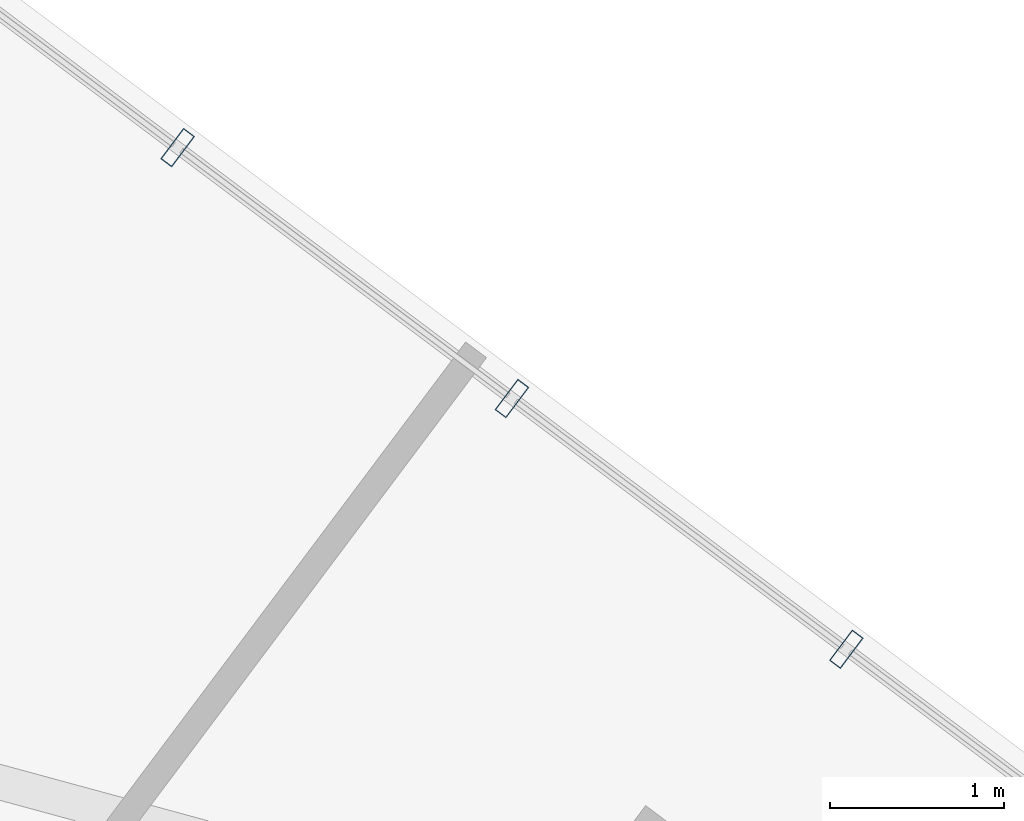
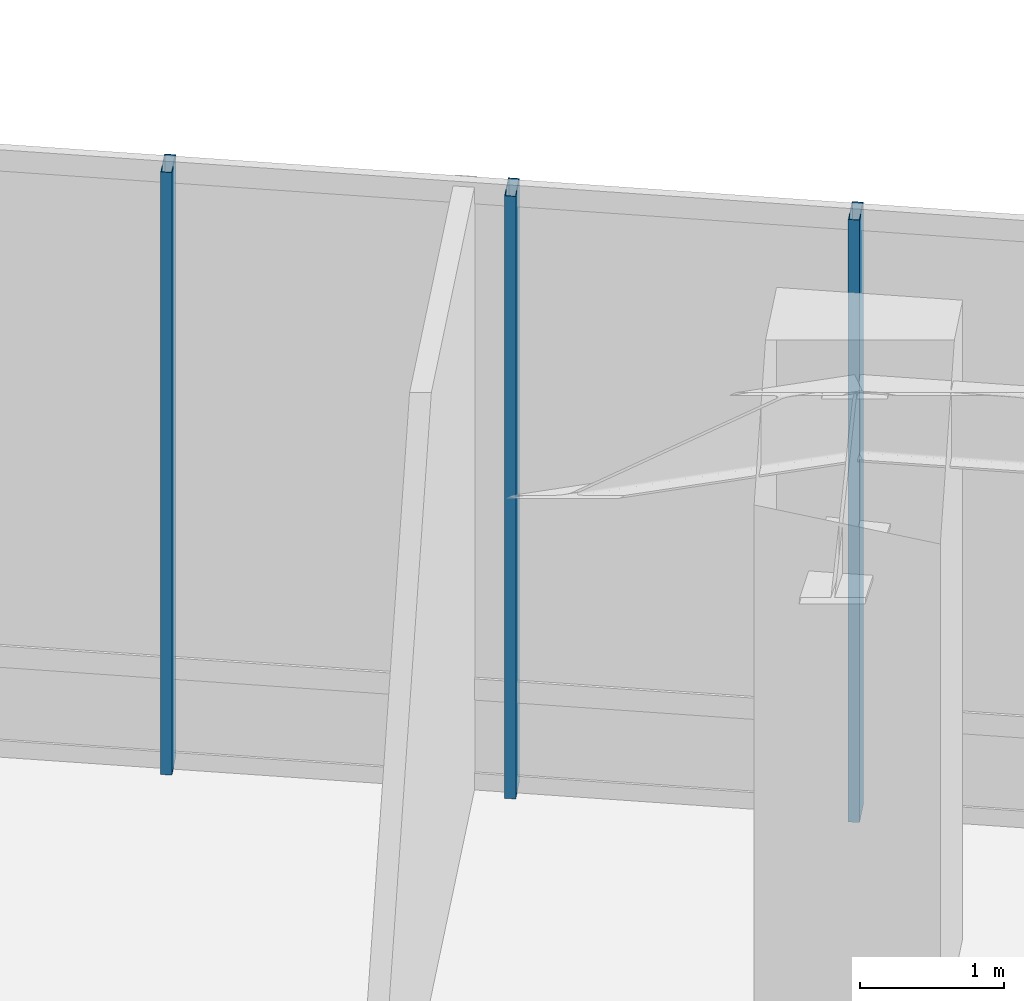
# One storey, part 21 of 35: 3 members, 1 element without a shape of its own.
"""IFC4 building model written with IfcOpenShell, lengths in metres."""

import ifcopenshell
import ifcopenshell.guid

model = None  # the IFC model being written
_history = None  # IfcOwnerHistory: only IFC2X3 demands one
_inside = {}  # id of a spatial element -> (the spatial element, [elements in it])
_under = {}  # id of a project, library or spatial element -> (it, [spatial elements below it])
_declared = {}  # id of a project -> (the project, [libraries it declares])
_typed = {}  # id of a type object -> (the type object, [elements of that type])
_made_of = {}  # id of a material, layer set ... -> (it, [elements and type objects made of it])


def new_model(schema):
    """Start an empty IFC model of exactly this schema.

    Asked for "IFC4X3", IfcOpenShell would pick the latest addendum, in which some entities
    have other attributes; the version numbers below select the first issue.
    IFC2X3 requires an IfcOwnerHistory on every rooted entity: one is made here for all.
    """
    global model, _history
    if schema == "IFC4X3":
        model = ifcopenshell.file(schema_version=(4, 3, 0, 0))
    else:
        model = ifcopenshell.file(schema=schema)
    _inside.clear()
    _under.clear()
    _declared.clear()
    _typed.clear()
    _made_of.clear()
    _history = None
    if model.schema == "IFC2X3":
        org = make("IfcOrganization", Name="unknown")
        user = make(
            "IfcPersonAndOrganization",
            ThePerson=make("IfcPerson", FamilyName="unknown"),
            TheOrganization=org,
        )
        app = make(
            "IfcApplication",
            ApplicationDeveloper=org,
            Version="unknown",
            ApplicationFullName="unknown",
            ApplicationIdentifier="unknown",
        )
        _history = make(
            "IfcOwnerHistory",
            OwningUser=user,
            OwningApplication=app,
            ChangeAction="ADDED",
            CreationDate=0,
        )
    return model


def make(cls, **values):
    """One entity of the class cls with the attributes given. An attribute that is None is left unset."""
    return model.create_entity(
        cls, **{name: value for name, value in values.items() if value is not None}
    )


def rooted(cls, **values):
    """An entity with a GlobalId (a new one), such as an element, a storey or a relation."""
    return make(cls, GlobalId=ifcopenshell.guid.new(), OwnerHistory=_history, **values)


def si_unit(unit_type, name, prefix=None):
    """IfcSIUnit, for example si_unit("LENGTHUNIT", "METRE", prefix="MILLI")."""
    return make("IfcSIUnit", UnitType=unit_type, Prefix=prefix, Name=name)


def assignment(units):
    """IfcUnitAssignment: the units of a project."""
    return None if units is None else make("IfcUnitAssignment", Units=units)


def point(xyz):
    """IfcCartesianPoint."""
    return None if xyz is None else make("IfcCartesianPoint", Coordinates=xyz)


def direction(xyz):
    """IfcDirection."""
    return None if xyz is None else make("IfcDirection", DirectionRatios=xyz)


def frame(location, z_axis=None, x_axis=None):
    """IfcAxis2Placement3D, a coordinate frame: its origin and axes. An axis left out is left unset."""
    return make(
        "IfcAxis2Placement3D",
        Location=point(location),
        Axis=direction(z_axis),
        RefDirection=direction(x_axis),
    )


def frame_2d(location, x_axis=None):
    """IfcAxis2Placement2D, a coordinate frame in the plane: its origin and x axis."""
    return make(
        "IfcAxis2Placement2D", Location=point(location), RefDirection=direction(x_axis)
    )


def origin():
    """The frame at (0, 0, 0) with its axes left unset."""
    return frame((0.0, 0.0, 0.0))


def origin_2d():
    """The frame at (0, 0) in the plane with its x axis left unset."""
    return frame_2d((0.0, 0.0))


def place(relative_to, where):
    """IfcLocalPlacement: puts the frame where relative to a parent placement (None: the world)."""
    return make(
        "IfcLocalPlacement", PlacementRelTo=relative_to, RelativePlacement=where
    )


def context(
    kind, dimensions, precision=None, world=None, true_north=None, identifier=None
):
    """IfcGeometricRepresentationContext, for example the 3D "Model" context."""
    return make(
        "IfcGeometricRepresentationContext",
        ContextIdentifier=identifier,
        ContextType=kind,
        CoordinateSpaceDimension=dimensions,
        Precision=precision,
        WorldCoordinateSystem=world,
        TrueNorth=true_north,
    )


def subcontext(parent, identifier, kind, view, scale=None):
    """IfcGeometricRepresentationSubContext, for example "Body" below "Model"."""
    return make(
        "IfcGeometricRepresentationSubContext",
        ContextIdentifier=identifier,
        ContextType=kind,
        ParentContext=parent,
        TargetScale=scale,
        TargetView=view,
    )


def project(units=None, contexts=None):
    """IfcProject with its units and contexts."""
    return rooted(
        "IfcProject",
        Name="project",
        RepresentationContexts=contexts,
        UnitsInContext=assignment(units),
    )


def spatial(cls, under=None, at=None, **own):
    """A site, building, storey or space (cls), placed at a placement, below another one or the project."""
    s = rooted(cls, ObjectPlacement=at, **own)
    if under is not None:
        _under.setdefault(under.id(), (under, []))[1].append(s)
    return s


def profile(cls, at=None, kind="AREA", **sizes):
    """A parametric profile (cls). Its sizes go by their IFC names, for example OverallWidth=200.0."""
    return make(cls, ProfileType=kind, Position=at, **sizes)


def hollow_rectangle(**sizes):
    """IfcRectangleHollowProfileDef."""
    return profile("IfcRectangleHollowProfileDef", **sizes)


def extrude(swept, where, along, depth):
    """IfcExtrudedAreaSolid: the profile swept, set in the frame where, extruded along a direction by depth."""
    return make(
        "IfcExtrudedAreaSolid",
        SweptArea=swept,
        Position=where,
        ExtrudedDirection=direction(along),
        Depth=depth,
    )


def shape(context_of_items, identifier, shape_type, items):
    """IfcShapeRepresentation: the items that make up one representation, for example the "Body"."""
    return make(
        "IfcShapeRepresentation",
        ContextOfItems=context_of_items,
        RepresentationIdentifier=identifier,
        RepresentationType=shape_type,
        Items=items,
    )


def material(Name=None, Category=None):
    """IfcMaterial."""
    return make("IfcMaterial", Name=Name, Category=Category)


def layer(
    of_material, thickness, ventilated=None, Name=None, Category=None, Priority=None
):
    """IfcMaterialLayer: one layer of a wall or slab, of a material (None: an air gap)."""
    return make(
        "IfcMaterialLayer",
        Material=of_material,
        LayerThickness=thickness,
        IsVentilated=ventilated,
        Name=Name,
        Category=Category,
        Priority=Priority,
    )


def layer_set(layers, Name=None):
    """IfcMaterialLayerSet."""
    return make("IfcMaterialLayerSet", MaterialLayers=layers, LayerSetName=Name)


def material_profile(
    of_material, cross_section, Name=None, Category=None, Priority=None
):
    """IfcMaterialProfile: a cross section and its material."""
    return make(
        "IfcMaterialProfile",
        Name=Name,
        Material=of_material,
        Profile=cross_section,
        Priority=Priority,
        Category=Category,
    )


def profile_set(profiles, Name=None, composite=None):
    """IfcMaterialProfileSet."""
    return make(
        "IfcMaterialProfileSet",
        Name=Name,
        MaterialProfiles=profiles,
        CompositeProfile=composite,
    )


def made_of(thing, what):
    """Note that an element or type object is made of a material, layer set ...; save() writes the relation."""
    if what is not None:
        _made_of.setdefault(what.id(), (what, []))[1].append(thing)
    return thing


def type_object(cls, material=None, **own):
    """A type object (cls), such as IfcWallType, which elements share."""
    return made_of(rooted(cls, **own), material)


def element(
    cls,
    number,
    at=None,
    inside=None,
    cuts=None,
    type_object=None,
    material=None,
    context=None,
    identifier="Body",
    shape_type=None,
    held_by="IfcProductDefinitionShape",
    body=None,
    shapes=None,
    **own,
):
    """One element of the class cls, such as IfcWall. Its Tag is "e" and its number.

    at: its placement. inside: the storey or other place that contains it. cuts: it is an
    opening in that element (IfcRelVoidsElement). A single representation is given by context,
    identifier, shape_type and body (its items); several are given by shapes. held_by: the class
    of the entity that holds the representations. save() writes the other relations.
    """
    e = rooted(cls, Tag="e%d" % number, ObjectPlacement=at, **own)
    if body is not None:
        shapes = [shape(context, identifier, shape_type, body)]
    if shapes is not None:
        e.Representation = make(held_by, Representations=shapes)
    if inside is not None:
        _inside.setdefault(inside.id(), (inside, []))[1].append(e)
    if cuts is not None:
        rooted(
            "IfcRelVoidsElement", RelatingBuildingElement=cuts, RelatedOpeningElement=e
        )
    if type_object is not None:
        _typed.setdefault(type_object.id(), (type_object, []))[1].append(e)
    return made_of(e, material)


def aggregate(whole, parts):
    """IfcRelAggregates: a whole, such as a stair, and the parts it consists of."""
    return rooted("IfcRelAggregates", RelatingObject=whole, RelatedObjects=parts)


def save(model, path):
    """Write the relations noted so far, then the file.

    IfcRelAggregates (storeys below a building ...), IfcRelContainedInSpatialStructure (elements
    in a storey), IfcRelDefinesByType, IfcRelAssociatesMaterial and IfcRelDeclares: one each for
    every whole, place, type object, material and project.
    """
    for whole, parts in _under.values():
        aggregate(whole, parts)
    for where, things in _inside.values():
        rooted(
            "IfcRelContainedInSpatialStructure",
            RelatedElements=things,
            RelatingStructure=where,
        )
    for kind, things in _typed.values():
        rooted("IfcRelDefinesByType", RelatedObjects=things, RelatingType=kind)
    for what, things in _made_of.values():
        rooted("IfcRelAssociatesMaterial", RelatedObjects=things, RelatingMaterial=what)
    for by, libraries in _declared.values():
        rooted("IfcRelDeclares", RelatingContext=by, RelatedDefinitions=libraries)
    model.write(path)


model = new_model("IFC4")

# Units and contexts
model_context = context("Model", 3, precision=1e-05, world=origin(), true_north=direction((0.0, 1.0)))
body_context = subcontext(model_context, "Body", "Model", "MODEL_VIEW")
ifc_project = project(units=[si_unit("LENGTHUNIT", "METRE"), si_unit("AREAUNIT", "SQUARE_METRE"), si_unit("VOLUMEUNIT", "CUBIC_METRE"), si_unit("PLANEANGLEUNIT", "RADIAN"), si_unit("MASSUNIT", "GRAM", prefix="KILO")], contexts=[model_context])

# Site, building, storey
site_placement = place(None, origin())
site = spatial("IfcSite", under=ifc_project, at=site_placement, CompositionType="ELEMENT")
building_placement = place(site_placement, origin())
building = spatial("IfcBuilding", under=site, at=building_placement, Name="Hatsunagi Terrace Concourse", CompositionType="ELEMENT")
storey_placement = place(building_placement, frame((0.0, 0.0, 10.800048828125)))
storey = spatial("IfcBuildingStorey", under=building, at=storey_placement, Name="L03", CompositionType="ELEMENT", Elevation=10.800048828125)

# Curtain wall, members
ifc_material_1 = material(Name="Anodised Aluminium Alloy 6063-T5", Category="aluminium")
ifc_layer = layer(ifc_material_1, 0.199951171875)
ifc_layer_set = layer_set([ifc_layer], Name="PodiumStorefront_CW01")
curtain_wall_type = type_object("IfcCurtainWallType", Name="PodiumStorefront_CW01", PredefinedType="NOTDEFINED", material=ifc_layer_set)
curtain_wall_placement = place(storey_placement, origin())
curtain_wall = element("IfcCurtainWall", 1, at=curtain_wall_placement, inside=storey, type_object=curtain_wall_type, Name="Unitised Curtain Wall CW-01 CW-L03-01", PredefinedType="NOTDEFINED")
ifc_material_2 = material(Name="Anodised Aluminium Alloy 6063-T5", Category="aluminium")
ifc_material_profile = material_profile(ifc_material_2, hollow_rectangle(XDim=0.080078125, YDim=0.219970703125, WallThickness=0.0048828125, at=origin_2d()), Name="ALU-MUL-220x80x5")
ifc_profile_set = profile_set([ifc_material_profile], Name="Anodised Aluminium Alloy 6063-T5")
member_type = type_object("IfcMemberType", Name="CurtainWallMullion_Heavy_220x80", PredefinedType="MULLION", material=ifc_profile_set)
member_1_placement = place(storey_placement, frame((48.701904296875, 37.84912109375, 0.0), z_axis=(0.0, 0.0, 1.0), x_axis=(0.800007305671, -0.599990258982, 0.0)))
member_1 = element("IfcMember", 2, at=member_1_placement, type_object=member_type, Name="Curtain Wall Mullion MUL-01", PredefinedType="MULLION", context=body_context, shape_type="SweptSolid", body=[
    extrude(hollow_rectangle(XDim=0.080078125, YDim=0.219970703125, WallThickness=0.0048828125, at=origin_2d()), origin(), (0.0, 0.0, 1.0), 5.099853515625),
])
member_2_placement = place(storey_placement, frame((50.6220703125, 36.407958984375, 0.0), z_axis=(0.0, 0.0, 1.0), x_axis=(0.800007305671, -0.599990258982, 0.0)))
member_2 = element("IfcMember", 3, at=member_2_placement, type_object=member_type, Name="Curtain Wall Mullion MUL-01", PredefinedType="MULLION", context=body_context, shape_type="SweptSolid", body=[
    extrude(hollow_rectangle(XDim=0.080078125, YDim=0.219970703125, WallThickness=0.0048828125, at=origin_2d()), origin(), (0.0, 0.0, 1.0), 5.099853515625),
])
member_3_placement = place(storey_placement, frame((52.54296875, 34.968017578125, 0.0), z_axis=(0.0, 0.0, 1.0), x_axis=(0.800007305671, -0.599990258982, 0.0)))
member_3 = element("IfcMember", 4, at=member_3_placement, type_object=member_type, Name="Curtain Wall Mullion MUL-01", PredefinedType="MULLION", context=body_context, shape_type="SweptSolid", body=[
    extrude(hollow_rectangle(XDim=0.080078125, YDim=0.219970703125, WallThickness=0.0048828125, at=origin_2d()), origin(), (0.0, 0.0, 1.0), 5.099853515625),
])
aggregate(curtain_wall, [member_1, member_2, member_3])

save(model, "model.ifc")
